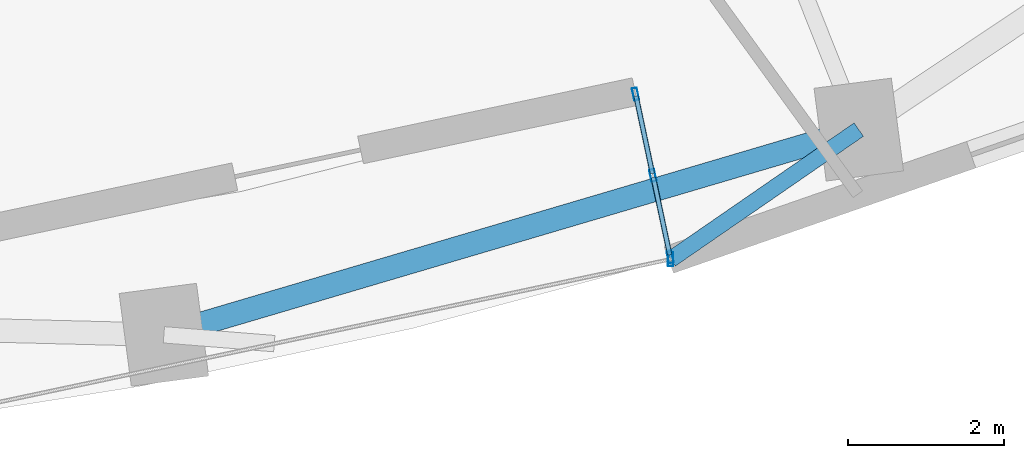
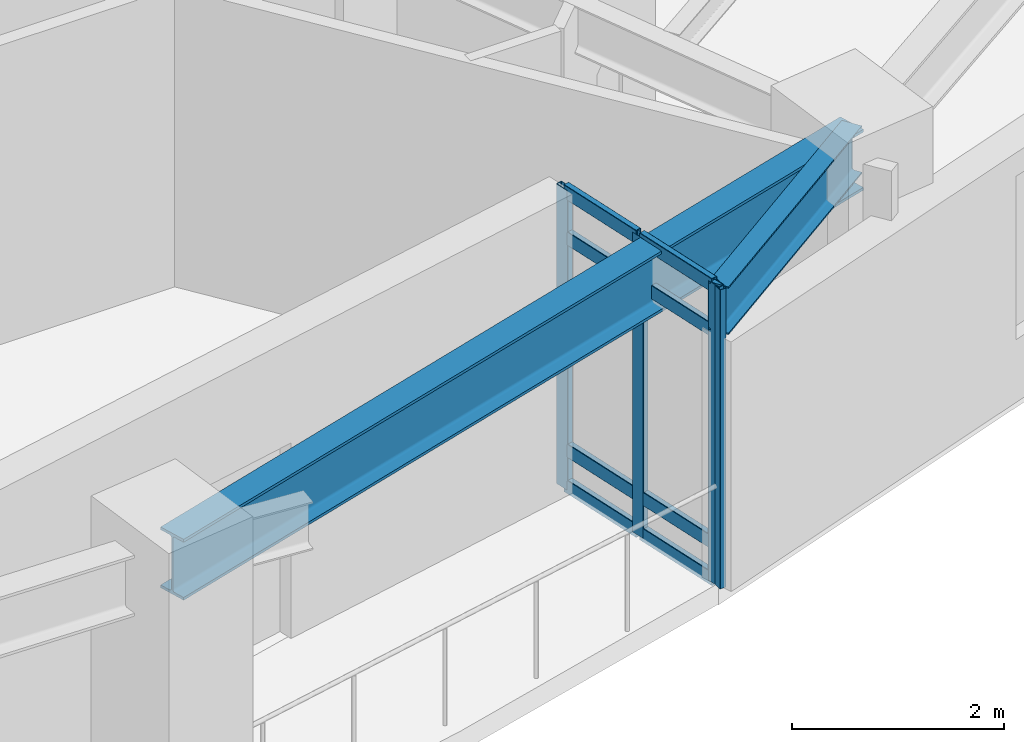
# One storey, part 3 of 12: 12 members, 2 beams, 1 element without a shape of its own.
"""IFC4 building model written with IfcOpenShell, lengths in metres."""

from ifc_helpers import new_model, si_unit, direction, frame, origin, origin_2d, place, context, subcontext, project, spatial, hollow_rectangle, i_section, extrude, material, layer, layer_set, material_profile, profile_set, type_object, element, aggregate, save


model = new_model("IFC4")

# Units and contexts
model_context = context("Model", 3, precision=1e-05, world=origin(), true_north=direction((0.0, 1.0)))
body_context = subcontext(model_context, "Body", "Model", "MODEL_VIEW")
ifc_project = project(units=[si_unit("LENGTHUNIT", "METRE"), si_unit("AREAUNIT", "SQUARE_METRE"), si_unit("VOLUMEUNIT", "CUBIC_METRE"), si_unit("PLANEANGLEUNIT", "RADIAN"), si_unit("MASSUNIT", "GRAM", prefix="KILO")], contexts=[model_context])

# Site, building, storey
site_placement = place(None, origin())
site = spatial("IfcSite", under=ifc_project, at=site_placement, CompositionType="ELEMENT")
building_placement = place(site_placement, origin())
building = spatial("IfcBuilding", under=site, at=building_placement, Name="Ndelora Gate Hotel", CompositionType="ELEMENT")
storey_placement = place(building_placement, frame((0.0, 0.0, 79.25)))
storey = spatial("IfcBuildingStorey", under=building, at=storey_placement, Name="L19", CompositionType="ELEMENT", Elevation=79.25)

# Beams
ifc_material_1 = material(Name="Steel S355", Category="steel")
ifc_material_profile_1 = material_profile(ifc_material_1, i_section(OverallWidth=0.2099609375, OverallDepth=0.550048828125, WebThickness=0.010986328125, FlangeThickness=0.01708984375, FilletRadius=0.02392578125, at=origin_2d()), Name="IPE 550")
ifc_profile_set_1 = profile_set([ifc_material_profile_1], Name="Steel S355")
beam_type_1 = type_object("IfcBeamType", Name="BM-RAD-550", PredefinedType="BEAM", material=ifc_profile_set_1)
beam_1_placement = place(storey_placement, frame((11.179443359375, -14.5693359375, 3.1650390625), z_axis=(-0.823102697332, -0.567892551144, 0.0), x_axis=(0.567892551144, -0.823102697332, 0.0)))
element("IfcBeam", 1, at=beam_1_placement, inside=storey, type_object=beam_type_1, Name="L19 Sky-Garden Loggia Column Bracket 3", PredefinedType="BEAM", context=body_context, shape_type="SweptSolid", body=[
    extrude(i_section(OverallWidth=0.2099609375, OverallDepth=0.550048828125, WebThickness=0.010986328125, FlangeThickness=0.01708984375, FilletRadius=0.02392578125, at=origin_2d()), origin(), (0.0, 0.0, 1.0), 2.93115234375),
])
ifc_material_profile_2 = material_profile(ifc_material_1, i_section(OverallWidth=0.300048828125, OverallDepth=0.699951171875, WebThickness=0.01708984375, FlangeThickness=0.031982421875, FilletRadius=0.027099609375, at=origin_2d()), Name="HEB 700")
ifc_profile_set_2 = profile_set([ifc_material_profile_2], Name="Steel S355")
beam_type_2 = type_object("IfcBeamType", Name="BM-RING-700", PredefinedType="SPANDREL", material=ifc_profile_set_2)
beam_2_placement = place(storey_placement, frame((2.2646484375, -17.20166015625, 3.090087890625), z_axis=(0.959064248316, 0.283188572514, 0.0), x_axis=(-0.283188572514, 0.959064248316, 0.0)))
element("IfcBeam", 2, at=beam_2_placement, inside=storey, type_object=beam_type_2, Name="L19 Perimeter Spandrel Girder 7", PredefinedType="SPANDREL", context=body_context, shape_type="SweptSolid", body=[
    extrude(i_section(OverallWidth=0.300048828125, OverallDepth=0.699951171875, WebThickness=0.01708984375, FlangeThickness=0.031982421875, FilletRadius=0.027099609375, at=origin_2d()), origin(), (0.0, 0.0, 1.0), 9.29541015625),
])

# Curtain wall, members
ifc_material_2 = material(Name="Bronze Anodised Unitised Aluminium and Low-E Glass", Category="aluminium")
ifc_layer = layer(ifc_material_2, 0.199951171875)
ifc_layer_set = layer_set([ifc_layer], Name="Bronze Anodised Unitised Aluminium and Low-E Glass")
curtain_wall_type = type_object("IfcCurtainWallType", Name="CW-SYS-3", PredefinedType="NOTDEFINED", material=ifc_layer_set)
curtain_wall_placement = place(storey_placement, origin())
curtain_wall = element("IfcCurtainWall", 3, at=curtain_wall_placement, inside=storey, type_object=curtain_wall_type, Name="L19 Sky-Garden Loggia Side Curtain Wall CW3-2", PredefinedType="NOTDEFINED")
ifc_material_3 = material(Name="Bronze Anodised Aluminium 6063-T6", Category="aluminium")
ifc_material_profile_3 = material_profile(ifc_material_3, hollow_rectangle(XDim=0.06494140625, YDim=0.159912109375, WallThickness=0.00390625, InnerFilletRadius=0.00390625, OuterFilletRadius=0.008056640625, at=origin_2d()), Name="ALU 160x65x4")
ifc_profile_set_3 = profile_set([ifc_material_profile_3], Name="Bronze Anodised Aluminium 6063-T6")
member_type_1 = type_object("IfcMemberType", Name="MB-CW-MUL150", PredefinedType="MULLION", material=ifc_profile_set_3)
member_1_placement = place(storey_placement, frame((8.760009765625, -16.201904296875, -0.00390625), z_axis=(0.0, 0.0, 1.0), x_axis=(-0.978147643724, -0.207911488567, 0.0)))
member_1 = element("IfcMember", 4, at=member_1_placement, type_object=member_type_1, Name="CW3 mullion 1", PredefinedType="MULLION", context=body_context, shape_type="SweptSolid", body=[
    extrude(hollow_rectangle(XDim=0.06494140625, YDim=0.159912109375, WallThickness=0.00390625, InnerFilletRadius=0.00390625, OuterFilletRadius=0.008056640625, at=origin_2d()), origin(), (0.0, 0.0, 1.0), 3.447998046875),
])
member_2_placement = place(storey_placement, frame((8.5380859375, -15.157958984375, -0.00390625), z_axis=(0.0, 0.0, 1.0), x_axis=(-0.978147643724, -0.207911488567, 0.0)))
member_2 = element("IfcMember", 5, at=member_2_placement, type_object=member_type_1, Name="CW3 mullion 2", PredefinedType="MULLION", context=body_context, shape_type="SweptSolid", body=[
    extrude(hollow_rectangle(XDim=0.06494140625, YDim=0.159912109375, WallThickness=0.00390625, InnerFilletRadius=0.00390625, OuterFilletRadius=0.008056640625, at=origin_2d()), origin(), (0.0, 0.0, 1.0), 3.447998046875),
])
member_3_placement = place(storey_placement, frame((8.316162109375, -14.11376953125, -0.00390625), z_axis=(0.0, 0.0, 1.0), x_axis=(-0.978147643724, -0.207911488567, 0.0)))
member_3 = element("IfcMember", 6, at=member_3_placement, type_object=member_type_1, Name="CW3 mullion 3", PredefinedType="MULLION", context=body_context, shape_type="SweptSolid", body=[
    extrude(hollow_rectangle(XDim=0.06494140625, YDim=0.159912109375, WallThickness=0.00390625, InnerFilletRadius=0.00390625, OuterFilletRadius=0.008056640625, at=origin_2d()), origin(), (0.0, 0.0, 1.0), 3.447998046875),
])
ifc_material_profile_4 = material_profile(ifc_material_3, hollow_rectangle(XDim=0.070068359375, YDim=0.179931640625, WallThickness=0.0048828125, InnerFilletRadius=0.0048828125, OuterFilletRadius=0.010009765625, at=origin_2d()), Name="ALU 180x70x5")
ifc_profile_set_4 = profile_set([ifc_material_profile_4], Name="Bronze Anodised Aluminium 6063-T6")
member_type_2 = type_object("IfcMemberType", Name="MB-CW-MUL180", PredefinedType="MULLION", material=ifc_profile_set_4)
member_4_placement = place(storey_placement, frame((8.766845703125, -16.23388671875, 0.0), z_axis=(0.0, 0.0, 1.0), x_axis=(1.0, 0.0, 0.0)))
member_4 = element("IfcMember", 7, at=member_4_placement, type_object=member_type_2, Name="L19 Sky-Garden Loggia Corner Mullion Post 2", PredefinedType="MULLION", context=body_context, shape_type="SweptSolid", body=[
    extrude(hollow_rectangle(XDim=0.070068359375, YDim=0.179931640625, WallThickness=0.0048828125, InnerFilletRadius=0.0048828125, OuterFilletRadius=0.010009765625, at=origin_2d()), origin(), (0.0, 0.0, 1.0), 3.43994140625),
])
ifc_material_profile_5 = material_profile(ifc_material_3, hollow_rectangle(XDim=0.06494140625, YDim=0.159912109375, WallThickness=0.00390625, InnerFilletRadius=0.00390625, OuterFilletRadius=0.008056640625, at=origin_2d()), Name="ALU 160x65x4")
ifc_profile_set_5 = profile_set([ifc_material_profile_5], Name="Bronze Anodised Aluminium 6063-T6")
member_type_3 = type_object("IfcMemberType", Name="MB-CW-TRN150", PredefinedType="USERDEFINED", material=ifc_profile_set_5)
member_5_placement = place(storey_placement, frame((8.754638671875, -16.176025390625, 0.032470703125), z_axis=(-0.207950868925, 0.97813927235, 0.0), x_axis=(-0.97813927235, -0.207950868925, 0.0)))
member_5 = element("IfcMember", 8, at=member_5_placement, type_object=member_type_3, Name="CW3 transom 1.1", ObjectType="TRANSOM", PredefinedType="USERDEFINED", context=body_context, shape_type="SweptSolid", body=[
    extrude(hollow_rectangle(XDim=0.06494140625, YDim=0.159912109375, WallThickness=0.00390625, InnerFilletRadius=0.00390625, OuterFilletRadius=0.008056640625, at=origin_2d()), origin(), (0.0, 0.0, 1.0), 1.014404296875),
])
member_6_placement = place(storey_placement, frame((8.754638671875, -16.176025390625, 0.449951171875), z_axis=(-0.207950868925, 0.97813927235, 0.0), x_axis=(-0.97813927235, -0.207950868925, 0.0)))
member_6 = element("IfcMember", 9, at=member_6_placement, type_object=member_type_3, Name="CW3 transom 1.2", ObjectType="TRANSOM", PredefinedType="USERDEFINED", context=body_context, shape_type="SweptSolid", body=[
    extrude(hollow_rectangle(XDim=0.06494140625, YDim=0.159912109375, WallThickness=0.00390625, InnerFilletRadius=0.00390625, OuterFilletRadius=0.008056640625, at=origin_2d()), origin(), (0.0, 0.0, 1.0), 1.014404296875),
])
member_7_placement = place(storey_placement, frame((8.754638671875, -16.176025390625, 2.889892578125), z_axis=(-0.207950868925, 0.97813927235, 0.0), x_axis=(-0.97813927235, -0.207950868925, 0.0)))
member_7 = element("IfcMember", 10, at=member_7_placement, type_object=member_type_3, Name="CW3 transom 1.3", ObjectType="TRANSOM", PredefinedType="USERDEFINED", context=body_context, shape_type="SweptSolid", body=[
    extrude(hollow_rectangle(XDim=0.06494140625, YDim=0.159912109375, WallThickness=0.00390625, InnerFilletRadius=0.00390625, OuterFilletRadius=0.008056640625, at=origin_2d()), origin(), (0.0, 0.0, 1.0), 1.014404296875),
])
member_8_placement = place(storey_placement, frame((8.754638671875, -16.176025390625, 3.407470703125), z_axis=(-0.207950868925, 0.97813927235, 0.0), x_axis=(-0.97813927235, -0.207950868925, 0.0)))
member_8 = element("IfcMember", 11, at=member_8_placement, type_object=member_type_3, Name="CW3 transom 1.4", ObjectType="TRANSOM", PredefinedType="USERDEFINED", context=body_context, shape_type="SweptSolid", body=[
    extrude(hollow_rectangle(XDim=0.06494140625, YDim=0.159912109375, WallThickness=0.00390625, InnerFilletRadius=0.00390625, OuterFilletRadius=0.008056640625, at=origin_2d()), origin(), (0.0, 0.0, 1.0), 1.014404296875),
])
member_9_placement = place(storey_placement, frame((8.532470703125, -15.1318359375, 0.032470703125), z_axis=(-0.207720575794, 0.978188203973, 0.0), x_axis=(-0.978188203973, -0.207720575794, 0.0)))
member_9 = element("IfcMember", 12, at=member_9_placement, type_object=member_type_3, Name="CW3 transom 2.1", ObjectType="TRANSOM", PredefinedType="USERDEFINED", context=body_context, shape_type="SweptSolid", body=[
    extrude(hollow_rectangle(XDim=0.06494140625, YDim=0.159912109375, WallThickness=0.00390625, InnerFilletRadius=0.00390625, OuterFilletRadius=0.008056640625, at=origin_2d()), origin(), (0.0, 0.0, 1.0), 1.014404296875),
])
member_10_placement = place(storey_placement, frame((8.532470703125, -15.1318359375, 0.449951171875), z_axis=(-0.207720575794, 0.978188203973, 0.0), x_axis=(-0.978188203973, -0.207720575794, 0.0)))
member_10 = element("IfcMember", 13, at=member_10_placement, type_object=member_type_3, Name="CW3 transom 2.2", ObjectType="TRANSOM", PredefinedType="USERDEFINED", context=body_context, shape_type="SweptSolid", body=[
    extrude(hollow_rectangle(XDim=0.06494140625, YDim=0.159912109375, WallThickness=0.00390625, InnerFilletRadius=0.00390625, OuterFilletRadius=0.008056640625, at=origin_2d()), origin(), (0.0, 0.0, 1.0), 1.014404296875),
])
member_11_placement = place(storey_placement, frame((8.532470703125, -15.1318359375, 2.889892578125), z_axis=(-0.207720575794, 0.978188203973, 0.0), x_axis=(-0.978188203973, -0.207720575794, 0.0)))
member_11 = element("IfcMember", 14, at=member_11_placement, type_object=member_type_3, Name="CW3 transom 2.3", ObjectType="TRANSOM", PredefinedType="USERDEFINED", context=body_context, shape_type="SweptSolid", body=[
    extrude(hollow_rectangle(XDim=0.06494140625, YDim=0.159912109375, WallThickness=0.00390625, InnerFilletRadius=0.00390625, OuterFilletRadius=0.008056640625, at=origin_2d()), origin(), (0.0, 0.0, 1.0), 1.014404296875),
])
member_12_placement = place(storey_placement, frame((8.532470703125, -15.1318359375, 3.407470703125), z_axis=(-0.207720575794, 0.978188203973, 0.0), x_axis=(-0.978188203973, -0.207720575794, 0.0)))
member_12 = element("IfcMember", 15, at=member_12_placement, type_object=member_type_3, Name="CW3 transom 2.4", ObjectType="TRANSOM", PredefinedType="USERDEFINED", context=body_context, shape_type="SweptSolid", body=[
    extrude(hollow_rectangle(XDim=0.06494140625, YDim=0.159912109375, WallThickness=0.00390625, InnerFilletRadius=0.00390625, OuterFilletRadius=0.008056640625, at=origin_2d()), origin(), (0.0, 0.0, 1.0), 1.014404296875),
])
aggregate(curtain_wall, [member_1, member_2, member_3, member_5, member_6, member_7, member_8, member_9, member_10, member_11, member_12, member_4])

save(model, "model.ifc")
